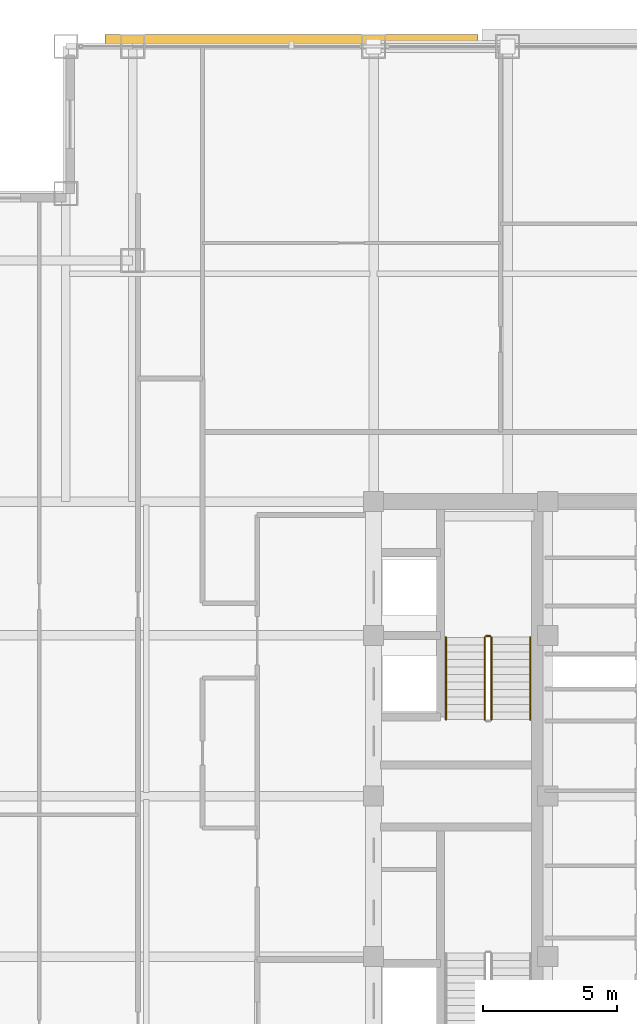
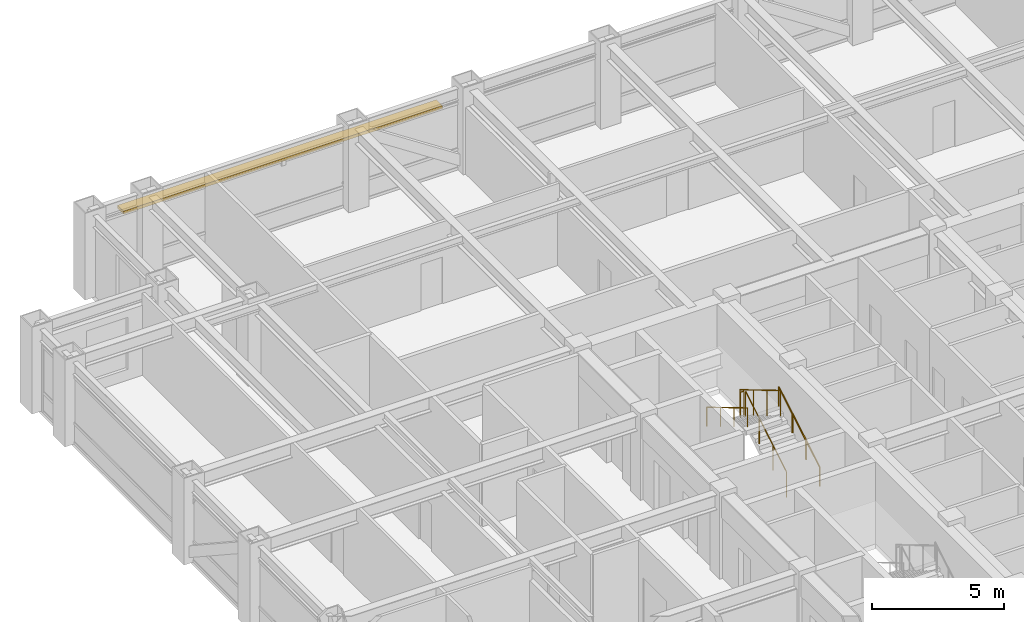
# One storey, part 26 of 27: 5 railings, 1 shading device.
"""IFC4 building model written with IfcOpenShell, lengths in metres."""

from ifc_helpers import new_model, si_unit, direction, frame, origin, origin_2d, place, context, subcontext, project, spatial, rectangle, circle, extrude, source, transform, mapped, material, layer, layer_set, type_object, element, save


model = new_model("IFC4")

# Units and contexts
model_context = context("Model", 3, precision=1e-05, world=origin(), true_north=direction((0.0, 1.0)))
body_context = subcontext(model_context, "Body", "Model", "MODEL_VIEW")
ifc_project = project(units=[si_unit("LENGTHUNIT", "METRE"), si_unit("AREAUNIT", "SQUARE_METRE"), si_unit("VOLUMEUNIT", "CUBIC_METRE"), si_unit("PLANEANGLEUNIT", "RADIAN"), si_unit("MASSUNIT", "GRAM", prefix="KILO")], contexts=[model_context])

# Site, building, storey
site_placement = place(None, origin())
site = spatial("IfcSite", under=ifc_project, at=site_placement, CompositionType="ELEMENT")
building_placement = place(site_placement, origin())
building = spatial("IfcBuilding", under=site, at=building_placement, Name="Khorayat Bourse Tower", CompositionType="ELEMENT")
storey_placement = place(building_placement, frame((0.0, 0.0, 281.5)))
storey = spatial("IfcBuildingStorey", under=building, at=storey_placement, Name="L66", CompositionType="ELEMENT", Elevation=281.5)

# Shading device
ifc_material_1 = material(Name="Precast concrete C45/55", Category="concrete")
ifc_layer = layer(ifc_material_1, 0.139892578125)
ifc_layer_set = layer_set([ifc_layer], Name="Precast concrete C45/55")
shading_device_type = type_object("IfcShadingDeviceType", Name="SHD-WAVE-TRAY-B", PredefinedType="USERDEFINED", material=ifc_layer_set)
shared_shape_1 = source(origin(), body_context, "Body", "SweptSolid", [
    extrude(rectangle(XDim=13.9267578125, YDim=0.461669921875, at=origin_2d()), origin(), (0.0, 0.0, 1.0), 0.139892578125),
])
shading_device_placement = place(storey_placement, frame((-14.066650390625, 28.2109375, 3.0302734375), z_axis=(0.0, 0.0, 1.0), x_axis=(1.0, 0.0, 0.0)))
element("IfcShadingDevice", 1, at=shading_device_placement, inside=storey, type_object=shading_device_type, Name="L66 Sinusoidal Wave Sunshade Tray N-1", ObjectType="SUNSHADE", PredefinedType="USERDEFINED", context=body_context, shape_type="MappedRepresentation", body=[
    mapped(shared_shape_1, transform((0.0, 0.0, 0.0), scale=1.0)),
])

# Railings
ifc_material_2 = material(Name="Powder-coated steel balustrade", Category="steel")
railing_type_1 = type_object("IfcRailingType", Name="RLG-GUARD-1200", PredefinedType="GUARDRAIL", material=ifc_material_2)
shared_shape_2 = source(origin(), body_context, "Body", "SweptSolid", [
    extrude(circle(Radius=0.02392578125, at=origin_2d()), frame((0.0, 0.0, 1.17578125), z_axis=(-1.0, 0.0, 0.0), x_axis=(0.0, -1.0, 0.0)), (0.0, 0.0, 1.0), 0.150146484375),
    extrude(circle(Radius=0.02099609375, at=origin_2d()), origin(), (0.0, 0.0, 1.0), 1.15185546875),
    extrude(circle(Radius=0.02099609375, at=origin_2d()), frame((-0.150146484375, 0.0, 0.0)), (0.0, 0.0, 1.0), 1.15185546875),
])
railing_1_placement = place(storey_placement, frame((-6.64990234375, 5.97998046875, 2.0)))
element("IfcRailing", 2, at=railing_1_placement, inside=storey, type_object=railing_type_1, Name="L66 ST-2 stair guard 2", PredefinedType="GUARDRAIL", context=body_context, shape_type="MappedRepresentation", body=[
    mapped(shared_shape_2, transform((0.0, 0.0, 0.0), scale=1.0)),
])
shared_shape_3 = source(origin(), body_context, "Body", "SweptSolid", [
    extrude(circle(Radius=0.02392578125, at=origin_2d()), frame((0.0, 0.0, 1.17578125), z_axis=(0.0, 0.859290745958, 0.51148745235), x_axis=(-1.0, 0.0, 0.0)), (0.0, 0.0, 1.0), 3.584228515625),
    extrude(circle(Radius=0.02099609375, at=origin_2d()), origin(), (0.0, 0.0, 1.0), 1.15185546875),
    extrude(circle(Radius=0.02099609375, at=origin_2d()), frame((0.0, 1.026611328125, 0.611083984375)), (0.0, 0.0, 1.0), 1.15185546875),
    extrude(circle(Radius=0.02099609375, at=origin_2d()), frame((0.0, 2.05322265625, 1.22216796875)), (0.0, 0.0, 1.0), 1.15185546875),
    extrude(circle(Radius=0.02099609375, at=origin_2d()), frame((0.0, 3.079833984375, 1.833251953125)), (0.0, 0.0, 1.0), 1.15185546875),
])
railing_2_placement = place(storey_placement, frame((-6.60009765625, 2.85009765625, 0.166748046875)))
element("IfcRailing", 3, at=railing_2_placement, inside=storey, type_object=railing_type_1, Name="L66 ST-2 stair guard 1", PredefinedType="GUARDRAIL", context=body_context, shape_type="MappedRepresentation", body=[
    mapped(shared_shape_3, transform((0.0, 0.0, 0.0), scale=1.0)),
])
shared_shape_4 = source(origin(), body_context, "Body", "SweptSolid", [
    extrude(circle(Radius=0.02392578125, at=origin_2d()), frame((0.0, 0.0, 1.17578125), z_axis=(0.0, -0.859290745958, 0.51148745235), x_axis=(1.0, 0.0, 0.0)), (0.0, 0.0, 1.0), 3.584228515625),
    extrude(circle(Radius=0.02099609375, at=origin_2d()), origin(), (0.0, 0.0, 1.0), 1.15185546875),
    extrude(circle(Radius=0.02099609375, at=origin_2d()), frame((0.0, -1.026611328125, 0.611083984375)), (0.0, 0.0, 1.0), 1.15185546875),
    extrude(circle(Radius=0.02099609375, at=origin_2d()), frame((0.0, -2.05322265625, 1.22216796875)), (0.0, 0.0, 1.0), 1.15185546875),
    extrude(circle(Radius=0.02099609375, at=origin_2d()), frame((0.0, -3.079833984375, 1.833251953125)), (0.0, 0.0, 1.0), 1.15185546875),
])
railing_3_placement = place(storey_placement, frame((-6.85009765625, 5.929931640625, 2.166748046875)))
element("IfcRailing", 4, at=railing_3_placement, inside=storey, type_object=railing_type_1, Name="L66 ST-2 stair guard 3", PredefinedType="GUARDRAIL", context=body_context, shape_type="MappedRepresentation", body=[
    mapped(shared_shape_4, transform((0.0, 0.0, 0.0), scale=1.0)),
])
ifc_material_3 = material(Name="Brushed bronze stainless-steel handrail", Category="steel")
railing_type_2 = type_object("IfcRailingType", Name="RLG-HAND-900", PredefinedType="HANDRAIL", material=ifc_material_3)
shared_shape_5 = source(origin(), body_context, "Body", "SweptSolid", [
    extrude(circle(Radius=0.02392578125, at=origin_2d()), frame((0.0, 0.0, 0.8759765625), z_axis=(0.0, 0.859290745958, 0.51148745235), x_axis=(-1.0, 0.0, 0.0)), (0.0, 0.0, 1.0), 3.584228515625),
    extrude(circle(Radius=0.02099609375, at=origin_2d()), origin(), (0.0, 0.0, 1.0), 0.851806640625),
    extrude(circle(Radius=0.02099609375, at=origin_2d()), frame((0.0, 1.026611328125, 0.611083984375)), (0.0, 0.0, 1.0), 0.851806640625),
    extrude(circle(Radius=0.02099609375, at=origin_2d()), frame((0.0, 2.05322265625, 1.22216796875)), (0.0, 0.0, 1.0), 0.851806640625),
    extrude(circle(Radius=0.02099609375, at=origin_2d()), frame((0.0, 3.079833984375, 1.833251953125)), (0.0, 0.0, 1.0), 0.851806640625),
])
railing_4_placement = place(storey_placement, frame((-5.14990234375, 2.85009765625, 0.166748046875)))
element("IfcRailing", 5, at=railing_4_placement, inside=storey, type_object=railing_type_2, Name="L66 ST-2 stair handrail 1", PredefinedType="HANDRAIL", context=body_context, shape_type="MappedRepresentation", body=[
    mapped(shared_shape_5, transform((0.0, 0.0, 0.0), scale=1.0)),
])
shared_shape_6 = source(origin(), body_context, "Body", "SweptSolid", [
    extrude(circle(Radius=0.02392578125, at=origin_2d()), frame((0.0, 0.0, 0.8759765625), z_axis=(0.0, -0.859290745958, 0.51148745235), x_axis=(1.0, 0.0, 0.0)), (0.0, 0.0, 1.0), 3.584228515625),
    extrude(circle(Radius=0.02099609375, at=origin_2d()), origin(), (0.0, 0.0, 1.0), 0.851806640625),
    extrude(circle(Radius=0.02099609375, at=origin_2d()), frame((0.0, -1.026611328125, 0.611083984375)), (0.0, 0.0, 1.0), 0.851806640625),
    extrude(circle(Radius=0.02099609375, at=origin_2d()), frame((0.0, -2.05322265625, 1.22216796875)), (0.0, 0.0, 1.0), 0.851806640625),
    extrude(circle(Radius=0.02099609375, at=origin_2d()), frame((0.0, -3.079833984375, 1.833251953125)), (0.0, 0.0, 1.0), 0.851806640625),
])
railing_5_placement = place(storey_placement, frame((-8.300048828125, 5.929931640625, 2.166748046875)))
element("IfcRailing", 6, at=railing_5_placement, inside=storey, type_object=railing_type_2, Name="L66 ST-2 stair handrail 2", PredefinedType="HANDRAIL", context=body_context, shape_type="MappedRepresentation", body=[
    mapped(shared_shape_6, transform((0.0, 0.0, 0.0), scale=1.0)),
])

save(model, "model.ifc")
